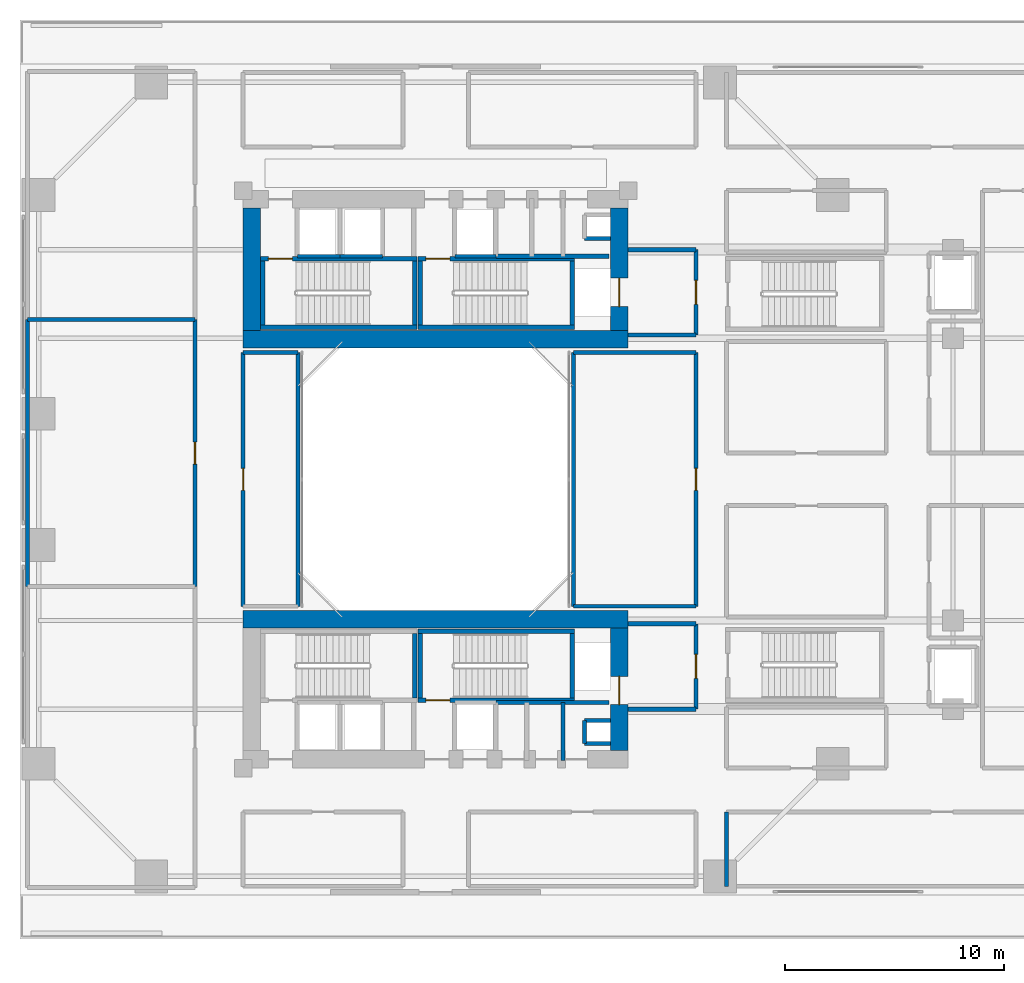
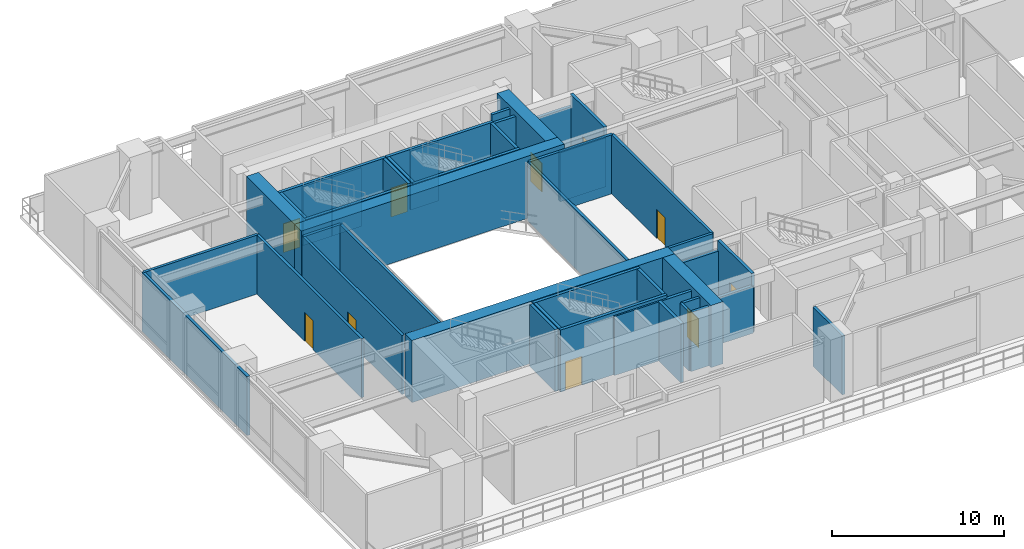
# One storey, part 11 of 19: 45 walls, 10 doors, 10 openings.
"""IFC4 building model written with IfcOpenShell, lengths in metres."""

from ifc_helpers import new_model, si_unit, direction, frame, frame_2d, origin, place, context, subcontext, project, spatial, rectangle, extrude, source, transform, mapped, material, layer, layer_set, type_object, element, fill, save


model = new_model("IFC4")

# Units and contexts
model_context = context("Model", 3, precision=1e-05, world=origin(), true_north=direction((0.0, 1.0)))
body_context = subcontext(model_context, "Body", "Model", "MODEL_VIEW")
ifc_project = project(units=[si_unit("LENGTHUNIT", "METRE"), si_unit("AREAUNIT", "SQUARE_METRE"), si_unit("VOLUMEUNIT", "CUBIC_METRE"), si_unit("PLANEANGLEUNIT", "RADIAN"), si_unit("MASSUNIT", "GRAM", prefix="KILO"), si_unit("THERMODYNAMICTEMPERATUREUNIT", "KELVIN"), si_unit("POWERUNIT", "WATT")], contexts=[model_context])

# Site, building, storey
site_placement = place(None, origin())
site = spatial("IfcSite", under=ifc_project, at=site_placement, CompositionType="ELEMENT")
building_placement = place(site_placement, origin())
building = spatial("IfcBuilding", under=site, at=building_placement, Name="Qiaomeng Ring Towers", CompositionType="ELEMENT")
storey_placement = place(building_placement, frame((0.0, 0.0, 9.39990234375)))
storey = spatial("IfcBuildingStorey", under=building, at=storey_placement, Name="L02", CompositionType="ELEMENT", Elevation=9.39990234375)

# Walls
ifc_material_1 = material(Name="Autoclaved aerated concrete block", Category="concrete")
ifc_layer_1 = layer(ifc_material_1, 0.199951171875, Name="Autoclaved aerated concrete block")
ifc_layer_set_1 = layer_set([ifc_layer_1], Name="Autoclaved aerated concrete block")
wall_type_1 = type_object("IfcWallType", Name="ARC-WL-PW1", PredefinedType="PARTITIONING", material=ifc_layer_set_1)
wall_1_placement = place(storey_placement, frame((27.800048828125, 29.60009765625, 0.0), z_axis=(0.0, 0.0, 1.0), x_axis=(1.0, 0.0, 0.0)))
element("IfcWall", 1, at=wall_1_placement, inside=storey, type_object=wall_type_1, Name="L02 Interior Wall PW1", PredefinedType="PARTITIONING", context=body_context, shape_type="SweptSolid", body=[
    extrude(rectangle(XDim=3.099853515625, YDim=0.199951171875, at=frame_2d((1.5498046875, 0.0))), origin(), (0.0, 0.0, 1.0), 3.47509765625),
])
wall_2_placement = place(storey_placement, frame((27.800048828125, 33.5, 0.0), z_axis=(0.0, 0.0, 1.0), x_axis=(1.0, 0.0, 0.0)))
element("IfcWall", 2, at=wall_2_placement, inside=storey, type_object=wall_type_1, Name="L02 Interior Wall PW1", PredefinedType="PARTITIONING", context=body_context, shape_type="SweptSolid", body=[
    extrude(rectangle(XDim=3.099853515625, YDim=0.199951171875, at=frame_2d((1.5498046875, 0.0))), origin(), (0.0, 0.0, 1.0), 3.3251953125),
])

# Wall, opening, door
wall_3_placement = place(storey_placement, frame((30.89990234375, 29.60009765625, 0.0), z_axis=(0.0, 0.0, 1.0), x_axis=(0.0, 1.0, 0.0)))
wall_3 = element("IfcWall", 3, at=wall_3_placement, inside=storey, type_object=wall_type_1, Name="L02 Interior Wall PW1", PredefinedType="PARTITIONING", context=body_context, shape_type="SweptSolid", body=[
    extrude(rectangle(XDim=3.89990234375, YDim=0.199951171875, at=frame_2d((1.949951171875, 0.0))), origin(), (0.0, 0.0, 1.0), 4.18017578125),
])
opening_1_placement = place(wall_3_placement, frame((1.39990234375, 0.0, 0.0)))
opening_1 = element("IfcOpeningElement", 4, at=opening_1_placement, cuts=wall_3, Name="Opening FD3", PredefinedType="OPENING", context=body_context, shape_type="SweptSolid", body=[
    extrude(rectangle(XDim=1.10009765625, YDim=2.050048828125, at=frame_2d((0.550048828125, 1.02490234375))), frame((0.0, 0.10986328125, 0.0), z_axis=(0.0, -1.0, 0.0), x_axis=(1.0, 0.0, 0.0)), (0.0, 0.0, 1.0), 0.219970703125),
])
ifc_material_2 = material(Name="Galvanised steel", Category="steel")
door_type_1 = type_object("IfcDoorType", Name="ARC-DR-FD3", OperationType="NOTDEFINED", PredefinedType="DOOR", material=ifc_material_2)
shared_shape_1 = source(origin(), body_context, "Body", "SweptSolid", [
    extrude(rectangle(XDim=1.10009765625, YDim=2.050048828125, at=frame_2d((0.550048828125, 1.02490234375))), frame((0.0, 0.02490234375, 0.0), z_axis=(0.0, -1.0, 0.0), x_axis=(1.0, 0.0, 0.0)), (0.0, 0.0, 1.0), 0.050048828125),
])
door_1_placement = place(opening_1_placement, origin())
door_1 = element("IfcDoor", 5, at=door_1_placement, inside=storey, type_object=door_type_1, Name="L02 North FF Lobby Door", OperationType="SINGLE_SWING_RIGHT", OverallHeight=2.050048828125, OverallWidth=1.10009765625, PredefinedType="DOOR", context=body_context, shape_type="MappedRepresentation", body=[
    mapped(shared_shape_1, transform((0.0, 0.0, 0.0), x_axis=(1.0, 0.0, 0.0), y_axis=(0.0, 1.0, 0.0), z_axis=(0.0, 0.0, 1.0), scale=1.0)),
])
fill(opening_1, door_1)

# Walls
wall_4_placement = place(storey_placement, frame((27.800048828125, 16.39990234375, 0.0), z_axis=(0.0, 0.0, 1.0), x_axis=(1.0, 0.0, 0.0)))
element("IfcWall", 6, at=wall_4_placement, inside=storey, type_object=wall_type_1, Name="L02 Interior Wall PW1", PredefinedType="PARTITIONING", context=body_context, shape_type="SweptSolid", body=[
    extrude(rectangle(XDim=3.099853515625, YDim=0.199951171875, at=frame_2d((1.5498046875, 0.0))), origin(), (0.0, 0.0, 1.0), 3.47509765625),
])
wall_5_placement = place(storey_placement, frame((27.800048828125, 12.5, 0.0), z_axis=(0.0, 0.0, 1.0), x_axis=(1.0, 0.0, 0.0)))
element("IfcWall", 7, at=wall_5_placement, inside=storey, type_object=wall_type_1, Name="L02 Interior Wall PW1", PredefinedType="PARTITIONING", context=body_context, shape_type="SweptSolid", body=[
    extrude(rectangle(XDim=3.099853515625, YDim=0.199951171875, at=frame_2d((1.5498046875, 0.0))), origin(), (0.0, 0.0, 1.0), 3.3251953125),
])

# Wall, opening, door
wall_6_placement = place(storey_placement, frame((30.89990234375, 12.5, 0.0), z_axis=(0.0, 0.0, 1.0), x_axis=(0.0, 1.0, 0.0)))
wall_6 = element("IfcWall", 8, at=wall_6_placement, inside=storey, type_object=wall_type_1, Name="L02 Interior Wall PW1", PredefinedType="PARTITIONING", context=body_context, shape_type="SweptSolid", body=[
    extrude(rectangle(XDim=3.89990234375, YDim=0.199951171875, at=frame_2d((1.949951171875, 0.0))), origin(), (0.0, 0.0, 1.0), 4.18017578125),
])
opening_2_placement = place(wall_6_placement, frame((1.39990234375, 0.0, 0.0)))
opening_2 = element("IfcOpeningElement", 9, at=opening_2_placement, cuts=wall_6, Name="Opening FD3", PredefinedType="OPENING", context=body_context, shape_type="SweptSolid", body=[
    extrude(rectangle(XDim=1.10009765625, YDim=2.050048828125, at=frame_2d((0.550048828125, 1.02490234375))), frame((0.0, 0.10986328125, 0.0), z_axis=(0.0, -1.0, 0.0), x_axis=(1.0, 0.0, 0.0)), (0.0, 0.0, 1.0), 0.219970703125),
])
door_2_placement = place(opening_2_placement, origin())
door_2 = element("IfcDoor", 10, at=door_2_placement, inside=storey, type_object=door_type_1, Name="L02 South FF Lobby Door", OperationType="SINGLE_SWING_LEFT", OverallHeight=2.050048828125, OverallWidth=1.10009765625, PredefinedType="DOOR", context=body_context, shape_type="MappedRepresentation", body=[
    mapped(shared_shape_1, transform((0.0, 0.0, 0.0), x_axis=(1.0, 0.0, 0.0), y_axis=(0.0, 1.0, 0.0), z_axis=(0.0, 0.0, 1.0), scale=1.0)),
])
fill(opening_2, door_2)

# Walls
wall_7_placement = place(storey_placement, frame((24.820068359375, 10.14990234375, 0.0), z_axis=(0.0, 0.0, 1.0), x_axis=(0.0, 1.0, 0.0)))
element("IfcWall", 11, at=wall_7_placement, inside=storey, type_object=wall_type_1, Name="L02 Interior Wall PW1", PredefinedType="PARTITIONING", context=body_context, shape_type="SweptSolid", body=[
    extrude(rectangle(XDim=2.650146484375, YDim=0.199951171875, at=frame_2d((1.3251953125, 0.0))), origin(), (0.0, 0.0, 1.0), 4.18017578125),
])
for number, where, z_axis, x_axis, name in (
    (12, (21.75, 33.199951171875, 0.0), (0.0, 0.0, 1.0), (1.0, 0.0, 0.0), "L02 Interior Wall PW1"),
    (13, (21.75, 12.800048828125, 0.0), (0.0, 0.0, 1.0), (1.0, 0.0, 0.0), "L02 Interior Wall PW1"),
):
    element("IfcWall", number, at=place(storey_placement, frame(where, z_axis=z_axis, x_axis=x_axis)), inside=storey, type_object=wall_type_1, Name=name, PredefinedType="PARTITIONING", context=body_context, shape_type="SweptSolid", body=[
        extrude(rectangle(XDim=5.169921875, YDim=0.199951171875, at=frame_2d((2.5849609375, 0.0))), origin(), (0.0, 0.0, 1.0), 4.18017578125),
    ])
ifc_layer_2 = layer(ifc_material_1, 0.179931640625, Name="Autoclaved aerated concrete block")
ifc_layer_set_2 = layer_set([ifc_layer_2], Name="Autoclaved aerated concrete block")
wall_type_2 = type_object("IfcWallType", Name="ARC-WL-PW2", PredefinedType="PARTITIONING", material=ifc_layer_set_2)
wall_8_placement = place(storey_placement, frame((0.35009765625, 30.300048828125, 0.0), z_axis=(0.0, 0.0, 1.0), x_axis=(1.0, 0.0, 0.0)))
element("IfcWall", 14, at=wall_8_placement, inside=storey, type_object=wall_type_2, Name="L02 Interior Wall PW2", PredefinedType="PARTITIONING", context=body_context, shape_type="SweptSolid", body=[
    extrude(rectangle(XDim=7.64990234375, YDim=0.179931640625, at=frame_2d((3.824951171875, 0.0))), origin(), (0.0, 0.0, 1.0), 4.18017578125),
])
wall_9_placement = place(storey_placement, frame((0.35009765625, 18.10009765625, 0.0), z_axis=(0.0, 0.0, 1.0), x_axis=(0.0, 1.0, 0.0)))
element("IfcWall", 15, at=wall_9_placement, inside=storey, type_object=wall_type_2, Name="L02 Interior Wall PW2", PredefinedType="PARTITIONING", context=body_context, shape_type="SweptSolid", body=[
    extrude(rectangle(XDim=12.199951171875, YDim=0.179931640625, at=frame_2d((6.10009765625, 0.0))), origin(), (0.0, 0.0, 1.0), 4.18017578125),
])

# Wall, opening, door
wall_10_placement = place(storey_placement, frame((8.0, 18.10009765625, 0.0), z_axis=(0.0, 0.0, 1.0), x_axis=(0.0, 1.0, 0.0)))
wall_10 = element("IfcWall", 16, at=wall_10_placement, inside=storey, type_object=wall_type_2, Name="L02 Interior Wall PW2", PredefinedType="PARTITIONING", context=body_context, shape_type="SweptSolid", body=[
    extrude(rectangle(XDim=12.199951171875, YDim=0.179931640625, at=frame_2d((6.10009765625, 0.0))), origin(), (0.0, 0.0, 1.0), 4.18017578125),
])
opening_3_placement = place(wall_10_placement, frame((5.60009765625, 0.0, 0.0)))
opening_3 = element("IfcOpeningElement", 17, at=opening_3_placement, cuts=wall_10, Name="Opening FD4", PredefinedType="OPENING", context=body_context, shape_type="SweptSolid", body=[
    extrude(rectangle(XDim=1.0, YDim=2.050048828125, at=frame_2d((0.5, 1.02490234375))), frame((0.0, 0.099853515625, 0.0), z_axis=(0.0, -1.0, 0.0), x_axis=(1.0, 0.0, 0.0)), (0.0, 0.0, 1.0), 0.199951171875),
])
ifc_material_3 = material(Name="Engineered fire-rated oak timber", Category="wood")
door_type_2 = type_object("IfcDoorType", Name="ARC-DR-FD4", OperationType="NOTDEFINED", PredefinedType="DOOR", material=ifc_material_3)
shared_shape_2 = source(origin(), body_context, "Body", "SweptSolid", [
    extrude(rectangle(XDim=1.0, YDim=2.050048828125, at=frame_2d((0.5, 1.02490234375))), frame((0.0, 0.02490234375, 0.0), z_axis=(0.0, -1.0, 0.0), x_axis=(1.0, 0.0, 0.0)), (0.0, 0.0, 1.0), 0.050048828125),
])
door_3_placement = place(opening_3_placement, origin())
door_3 = element("IfcDoor", 18, at=door_3_placement, inside=storey, type_object=door_type_2, Name="L02 L02 Specialist Consultation Office Door", OperationType="SINGLE_SWING_RIGHT", OverallHeight=2.050048828125, OverallWidth=1.0, PredefinedType="DOOR", context=body_context, shape_type="MappedRepresentation", body=[
    mapped(shared_shape_2, transform((0.0, 0.0, 0.0), x_axis=(1.0, 0.0, 0.0), y_axis=(0.0, 1.0, 0.0), z_axis=(0.0, 0.0, 1.0), scale=1.0)),
])
fill(opening_3, door_3)

# Wall
wall_11_placement = place(storey_placement, frame((10.199951171875, 28.800048828125, 0.0), z_axis=(0.0, 0.0, 1.0), x_axis=(1.0, 0.0, 0.0)))
element("IfcWall", 19, at=wall_11_placement, inside=storey, type_object=wall_type_2, Name="L02 Interior Wall PW2", PredefinedType="PARTITIONING", context=body_context, shape_type="SweptSolid", body=[
    extrude(rectangle(XDim=2.5, YDim=0.179931640625, at=frame_2d((1.25, 0.0))), origin(), (0.0, 0.0, 1.0), 4.18017578125),
])

# Wall, opening, door
wall_12_placement = place(storey_placement, frame((10.199951171875, 17.199951171875, 0.0), z_axis=(0.0, 0.0, 1.0), x_axis=(0.0, 1.0, 0.0)))
wall_12 = element("IfcWall", 20, at=wall_12_placement, inside=storey, type_object=wall_type_2, Name="L02 Interior Wall PW2", PredefinedType="PARTITIONING", context=body_context, shape_type="SweptSolid", body=[
    extrude(rectangle(XDim=11.60009765625, YDim=0.179931640625, at=frame_2d((5.800048828125, 0.0))), origin(), (0.0, 0.0, 1.0), 4.18017578125),
])
opening_4_placement = place(wall_12_placement, frame((5.300048828125, 0.0, 0.0)))
opening_4 = element("IfcOpeningElement", 21, at=opening_4_placement, cuts=wall_12, Name="Opening FD4", PredefinedType="OPENING", context=body_context, shape_type="SweptSolid", body=[
    extrude(rectangle(XDim=1.0, YDim=2.050048828125, at=frame_2d((0.5, 1.02490234375))), frame((0.0, 0.099853515625, 0.0), z_axis=(0.0, -1.0, 0.0), x_axis=(1.0, 0.0, 0.0)), (0.0, 0.0, 1.0), 0.199951171875),
])
door_4_placement = place(opening_4_placement, origin())
door_4 = element("IfcDoor", 22, at=door_4_placement, inside=storey, type_object=door_type_2, Name="L02 L02 Internal Medicine Suite Door", OperationType="SINGLE_SWING_RIGHT", OverallHeight=2.050048828125, OverallWidth=1.0, PredefinedType="DOOR", context=body_context, shape_type="MappedRepresentation", body=[
    mapped(shared_shape_2, transform((0.0, 0.0, 0.0), x_axis=(1.0, 0.0, 0.0), y_axis=(0.0, 1.0, 0.0), z_axis=(0.0, 0.0, 1.0), scale=1.0)),
])
fill(opening_4, door_4)

# Walls
wall_13_placement = place(storey_placement, frame((12.699951171875, 17.199951171875, 0.0), z_axis=(0.0, 0.0, 1.0), x_axis=(0.0, 1.0, 0.0)))
element("IfcWall", 23, at=wall_13_placement, inside=storey, type_object=wall_type_2, Name="L02 Interior Wall PW2", PredefinedType="PARTITIONING", context=body_context, shape_type="SweptSolid", body=[
    extrude(rectangle(XDim=11.60009765625, YDim=0.179931640625, at=frame_2d((5.800048828125, 0.0))), origin(), (0.0, 0.0, 1.0), 4.18017578125),
])
for number, where, z_axis, x_axis, name in (
    (24, (25.300048828125, 17.199951171875, 0.0), (0.0, 0.0, 1.0), (1.0, 0.0, 0.0), "L02 Interior Wall PW2"),
    (25, (25.300048828125, 28.800048828125, 0.0), (0.0, 0.0, 1.0), (1.0, 0.0, 0.0), "L02 Interior Wall PW2"),
):
    element("IfcWall", number, at=place(storey_placement, frame(where, z_axis=z_axis, x_axis=x_axis)), inside=storey, type_object=wall_type_2, Name=name, PredefinedType="PARTITIONING", context=body_context, shape_type="SweptSolid", body=[
        extrude(rectangle(XDim=5.599853515625, YDim=0.179931640625, at=frame_2d((2.7998046875, 0.0))), origin(), (0.0, 0.0, 1.0), 4.18017578125),
    ])
wall_14_placement = place(storey_placement, frame((25.300048828125, 17.199951171875, 0.0), z_axis=(0.0, 0.0, 1.0), x_axis=(0.0, 1.0, 0.0)))
element("IfcWall", 26, at=wall_14_placement, inside=storey, type_object=wall_type_2, Name="L02 Interior Wall PW2", PredefinedType="PARTITIONING", context=body_context, shape_type="SweptSolid", body=[
    extrude(rectangle(XDim=11.60009765625, YDim=0.179931640625, at=frame_2d((5.800048828125, 0.0))), origin(), (0.0, 0.0, 1.0), 4.18017578125),
])

# Wall, opening, door
wall_15_placement = place(storey_placement, frame((30.89990234375, 17.199951171875, 0.0), z_axis=(0.0, 0.0, 1.0), x_axis=(0.0, 1.0, 0.0)))
wall_15 = element("IfcWall", 27, at=wall_15_placement, inside=storey, type_object=wall_type_2, Name="L02 Interior Wall PW2", PredefinedType="PARTITIONING", context=body_context, shape_type="SweptSolid", body=[
    extrude(rectangle(XDim=11.60009765625, YDim=0.179931640625, at=frame_2d((5.800048828125, 0.0))), origin(), (0.0, 0.0, 1.0), 4.18017578125),
])
opening_5_placement = place(wall_15_placement, frame((5.300048828125, 0.0, 0.0)))
opening_5 = element("IfcOpeningElement", 28, at=opening_5_placement, cuts=wall_15, Name="Opening FD4", PredefinedType="OPENING", context=body_context, shape_type="SweptSolid", body=[
    extrude(rectangle(XDim=1.0, YDim=2.050048828125, at=frame_2d((0.5, 1.02490234375))), frame((0.0, 0.099853515625, 0.0), z_axis=(0.0, -1.0, 0.0), x_axis=(1.0, 0.0, 0.0)), (0.0, 0.0, 1.0), 0.199951171875),
])
door_5_placement = place(opening_5_placement, origin())
door_5 = element("IfcDoor", 29, at=door_5_placement, inside=storey, type_object=door_type_2, Name="L02 L02 Traditional Medicine Clinic Door", OperationType="SINGLE_SWING_LEFT", OverallHeight=2.050048828125, OverallWidth=1.0, PredefinedType="DOOR", context=body_context, shape_type="MappedRepresentation", body=[
    mapped(shared_shape_2, transform((0.0, 0.0, 0.0), x_axis=(1.0, 0.0, 0.0), y_axis=(0.0, 1.0, 0.0), z_axis=(0.0, 0.0, 1.0), scale=1.0)),
])
fill(opening_5, door_5)

# Walls
wall_16_placement = place(storey_placement, frame((32.300048828125, 4.39990234375, 0.0), z_axis=(0.0, 0.0, 1.0), x_axis=(0.0, 1.0, 0.0)))
element("IfcWall", 30, at=wall_16_placement, inside=storey, type_object=wall_type_2, Name="L02 Interior Wall PW2", PredefinedType="PARTITIONING", context=body_context, shape_type="SweptSolid", body=[
    extrude(rectangle(XDim=3.400146484375, YDim=0.179931640625, at=frame_2d((1.7001953125, 0.0))), origin(), (0.0, 0.0, 1.0), 4.18017578125),
])
ifc_material_4 = material(Name="Concrete C40", Category="concrete")
ifc_layer_3 = layer(ifc_material_4, 0.199951171875, Name="Concrete C40")
ifc_layer_set_3 = layer_set([ifc_layer_3], Name="Concrete C40")
wall_type_3 = type_object("IfcWallType", Name="STR-WL-STSHAFT", PredefinedType="SHEAR", material=ifc_layer_set_3)
wall_17_placement = place(storey_placement, frame((12.679931640625, 33.199951171875, 0.0), z_axis=(0.0, 0.0, 1.0), x_axis=(1.0, 0.0, 0.0)))
element("IfcWall", 31, at=wall_17_placement, inside=storey, type_object=wall_type_3, Name="L02 Lift LP5 Shaft Back Wall", PredefinedType="SHEAR", context=body_context, shape_type="SweptSolid", body=[
    extrude(rectangle(XDim=1.940185546875, YDim=0.179931640625, at=frame_2d((0.97021484375, 0.0))), origin(), (0.0, 0.0, 1.0), 4.18017578125),
])
wall_18_placement = place(storey_placement, frame((25.800048828125, 34.02001953125, 0.0), z_axis=(0.0, 0.0, 1.0), x_axis=(1.0, 0.0, 0.0)))
element("IfcWall", 32, at=wall_18_placement, inside=storey, type_object=wall_type_3, Name="L02 Riser RSR1 South Shaft Wall N", PredefinedType="SHEAR", context=body_context, shape_type="SweptSolid", body=[
    extrude(rectangle(XDim=1.199951171875, YDim=0.179931640625, at=frame_2d((0.60009765625, 0.0))), origin(), (0.0, 0.0, 1.0), 4.18017578125),
])
wall_19_placement = place(storey_placement, frame((25.800048828125, 10.919921875, 0.0), z_axis=(0.0, 0.0, 1.0), x_axis=(0.0, 1.0, 0.0)))
element("IfcWall", 33, at=wall_19_placement, inside=storey, type_object=wall_type_3, Name="L02 Riser RSR1 West Shaft Wall S", PredefinedType="SHEAR", context=body_context, shape_type="SweptSolid", body=[
    extrude(rectangle(XDim=1.06005859375, YDim=0.179931640625, at=frame_2d((0.530029296875, 0.0))), origin(), (0.0, 0.0, 1.0), 4.18017578125),
])
for number, where, z_axis, x_axis, name in (
    (34, (25.800048828125, 11.97998046875, 0.0), (0.0, 0.0, 1.0), (1.0, 0.0, 0.0), "L02 Riser RSR1 North Shaft Wall S"),
    (35, (25.800048828125, 10.919921875, 0.0), (0.0, 0.0, 1.0), (1.0, 0.0, 0.0), "L02 Riser RSR1 South Shaft Wall S"),
):
    element("IfcWall", number, at=place(storey_placement, frame(where, z_axis=z_axis, x_axis=x_axis)), inside=storey, type_object=wall_type_3, Name=name, PredefinedType="SHEAR", context=body_context, shape_type="SweptSolid", body=[
        extrude(rectangle(XDim=1.199951171875, YDim=0.179931640625, at=frame_2d((0.60009765625, 0.0))), origin(), (0.0, 0.0, 1.0), 4.18017578125),
    ])
wall_20_placement = place(storey_placement, frame((14.6201171875, 33.199951171875, 0.0), z_axis=(0.0, 0.0, 1.0), x_axis=(1.0, 0.0, 0.0)))
element("IfcWall", 36, at=wall_20_placement, inside=storey, type_object=wall_type_3, Name="L02 Lift LP3 Shaft Back Wall", PredefinedType="SHEAR", context=body_context, shape_type="SweptSolid", body=[
    extrude(rectangle(XDim=1.9599609375, YDim=0.179931640625, at=frame_2d((0.97998046875, 0.0))), origin(), (0.0, 0.0, 1.0), 4.18017578125),
])
wall_21_placement = place(storey_placement, frame((19.8798828125, 33.199951171875, 0.0), z_axis=(0.0, 0.0, 1.0), x_axis=(1.0, 0.0, 0.0)))
element("IfcWall", 37, at=wall_21_placement, inside=storey, type_object=wall_type_3, Name="L02 Lift LP1 Shaft Back Wall", PredefinedType="SHEAR", context=body_context, shape_type="SweptSolid", body=[
    extrude(rectangle(XDim=1.8701171875, YDim=0.179931640625, at=frame_2d((0.93505859375, 0.0))), origin(), (0.0, 0.0, 1.0), 4.18017578125),
])
wall_22_placement = place(storey_placement, frame((11.0, 29.949951171875, 0.0), z_axis=(0.0, 0.0, 1.0), x_axis=(1.0, 0.0, 0.0)))
element("IfcWall", 38, at=wall_22_placement, inside=storey, type_object=wall_type_3, Name="L02 Stair ST1 South Shaft Shear Wall", PredefinedType="SHEAR", context=body_context, shape_type="SweptSolid", body=[
    extrude(rectangle(XDim=7.14990234375, YDim=0.199951171875, at=frame_2d((3.574951171875, 0.0))), origin(), (0.0, 0.0, 1.0), 4.400146484375),
])

# Wall, opening, door
wall_23_placement = place(storey_placement, frame((11.0, 33.090087890625, 0.0), z_axis=(0.0, 0.0, 1.0), x_axis=(1.0, 0.0, 0.0)))
wall_23 = element("IfcWall", 39, at=wall_23_placement, inside=storey, type_object=wall_type_3, Name="L02 Stair ST1 North Shaft Shear Wall", PredefinedType="SHEAR", context=body_context, shape_type="SweptSolid", body=[
    extrude(rectangle(XDim=7.14990234375, YDim=0.199951171875, at=frame_2d((3.574951171875, 0.0))), origin(), (0.0, 0.0, 1.0), 4.400146484375),
])
opening_6_placement = place(wall_23_placement, frame((0.35009765625, 0.0, 0.0)))
opening_6 = element("IfcOpeningElement", 40, at=opening_6_placement, cuts=wall_23, Name="Opening FD3", PredefinedType="OPENING", context=body_context, shape_type="SweptSolid", body=[
    extrude(rectangle(XDim=1.10009765625, YDim=2.050048828125, at=frame_2d((0.550048828125, 1.02490234375))), frame((0.0, 0.10986328125, 0.0), z_axis=(0.0, -1.0, 0.0), x_axis=(1.0, 0.0, 0.0)), (0.0, 0.0, 1.0), 0.219970703125),
])
door_6_placement = place(opening_6_placement, origin())
door_6 = element("IfcDoor", 41, at=door_6_placement, inside=storey, type_object=door_type_1, Name="L02 Stair ST1 Exit Door", OperationType="SINGLE_SWING_LEFT", OverallHeight=2.050048828125, OverallWidth=1.10009765625, PredefinedType="DOOR", context=body_context, shape_type="MappedRepresentation", body=[
    mapped(shared_shape_1, transform((0.0, 0.0, 0.0), x_axis=(1.0, 0.0, 0.0), y_axis=(0.0, 1.0, 0.0), z_axis=(0.0, 0.0, 1.0), scale=1.0)),
])
fill(opening_6, door_6)

# Walls
for number, where, z_axis, x_axis, name in (
    (42, (11.10009765625, 30.050048828125, 0.0), (0.0, 0.0, 1.0), (0.0, 1.0, 0.0), "L02 Stair ST1 West Shaft Shear Wall"),
    (43, (18.050048828125, 30.050048828125, 0.0), (0.0, 0.0, 1.0), (0.0, 1.0, 0.0), "L02 Stair ST1 East Shaft Shear Wall"),
):
    element("IfcWall", number, at=place(storey_placement, frame(where, z_axis=z_axis, x_axis=x_axis)), inside=storey, type_object=wall_type_3, Name=name, PredefinedType="SHEAR", context=body_context, shape_type="SweptSolid", body=[
        extrude(rectangle(XDim=2.93994140625, YDim=0.199951171875, at=frame_2d((1.469970703125, 0.0))), origin(), (0.0, 0.0, 1.0), 4.400146484375),
    ])
wall_24_placement = place(storey_placement, frame((18.199951171875, 29.949951171875, 0.0), z_axis=(0.0, 0.0, 1.0), x_axis=(1.0, 0.0, 0.0)))
element("IfcWall", 44, at=wall_24_placement, inside=storey, type_object=wall_type_3, Name="L02 Stair ST2 South Shaft Shear Wall", PredefinedType="SHEAR", context=body_context, shape_type="SweptSolid", body=[
    extrude(rectangle(XDim=7.150146484375, YDim=0.199951171875, at=frame_2d((3.5751953125, 0.0))), origin(), (0.0, 0.0, 1.0), 4.400146484375),
])

# Wall, opening, door
wall_25_placement = place(storey_placement, frame((18.199951171875, 33.090087890625, 0.0), z_axis=(0.0, 0.0, 1.0), x_axis=(1.0, 0.0, 0.0)))
wall_25 = element("IfcWall", 45, at=wall_25_placement, inside=storey, type_object=wall_type_3, Name="L02 Stair ST2 North Shaft Shear Wall", PredefinedType="SHEAR", context=body_context, shape_type="SweptSolid", body=[
    extrude(rectangle(XDim=7.150146484375, YDim=0.199951171875, at=frame_2d((3.5751953125, 0.0))), origin(), (0.0, 0.0, 1.0), 4.400146484375),
])
opening_7_placement = place(wall_25_placement, frame((0.35009765625, 0.0, 0.0)))
opening_7 = element("IfcOpeningElement", 46, at=opening_7_placement, cuts=wall_25, Name="Opening FD3", PredefinedType="OPENING", context=body_context, shape_type="SweptSolid", body=[
    extrude(rectangle(XDim=1.10009765625, YDim=2.050048828125, at=frame_2d((0.550048828125, 1.02490234375))), frame((0.0, 0.10986328125, 0.0), z_axis=(0.0, -1.0, 0.0), x_axis=(1.0, 0.0, 0.0)), (0.0, 0.0, 1.0), 0.219970703125),
])
door_7_placement = place(opening_7_placement, origin())
door_7 = element("IfcDoor", 47, at=door_7_placement, inside=storey, type_object=door_type_1, Name="L02 Stair ST2 Exit Door", OperationType="SINGLE_SWING_LEFT", OverallHeight=2.050048828125, OverallWidth=1.10009765625, PredefinedType="DOOR", context=body_context, shape_type="MappedRepresentation", body=[
    mapped(shared_shape_1, transform((0.0, 0.0, 0.0), x_axis=(1.0, 0.0, 0.0), y_axis=(0.0, 1.0, 0.0), z_axis=(0.0, 0.0, 1.0), scale=1.0)),
])
fill(opening_7, door_7)

# Walls
for number, where, z_axis, x_axis, name in (
    (48, (18.300048828125, 30.050048828125, 0.0), (0.0, 0.0, 1.0), (0.0, 1.0, 0.0), "L02 Stair ST2 West Shaft Shear Wall"),
    (49, (25.25, 30.050048828125, 0.0), (0.0, 0.0, 1.0), (0.0, 1.0, 0.0), "L02 Stair ST2 East Shaft Shear Wall"),
    (50, (18.050048828125, 13.010009765625, 0.0), (0.0, 0.0, 1.0), (0.0, 1.0, 0.0), "L02 Stair ST3 East Shaft Shear Wall"),
):
    element("IfcWall", number, at=place(storey_placement, frame(where, z_axis=z_axis, x_axis=x_axis)), inside=storey, type_object=wall_type_3, Name=name, PredefinedType="SHEAR", context=body_context, shape_type="SweptSolid", body=[
        extrude(rectangle(XDim=2.93994140625, YDim=0.199951171875, at=frame_2d((1.469970703125, 0.0))), origin(), (0.0, 0.0, 1.0), 4.400146484375),
    ])

# Wall, opening, door
wall_26_placement = place(storey_placement, frame((18.199951171875, 12.909912109375, 0.0), z_axis=(0.0, 0.0, 1.0), x_axis=(1.0, 0.0, 0.0)))
wall_26 = element("IfcWall", 51, at=wall_26_placement, inside=storey, type_object=wall_type_3, Name="L02 Stair ST4 South Shaft Shear Wall", PredefinedType="SHEAR", context=body_context, shape_type="SweptSolid", body=[
    extrude(rectangle(XDim=7.150146484375, YDim=0.199951171875, at=frame_2d((3.5751953125, 0.0))), origin(), (0.0, 0.0, 1.0), 4.400146484375),
])
opening_8_placement = place(wall_26_placement, frame((0.35009765625, 0.0, 0.0)))
opening_8 = element("IfcOpeningElement", 52, at=opening_8_placement, cuts=wall_26, Name="Opening FD3", PredefinedType="OPENING", context=body_context, shape_type="SweptSolid", body=[
    extrude(rectangle(XDim=1.10009765625, YDim=2.050048828125, at=frame_2d((0.550048828125, 1.02490234375))), frame((0.0, 0.10986328125, 0.0), z_axis=(0.0, -1.0, 0.0), x_axis=(1.0, 0.0, 0.0)), (0.0, 0.0, 1.0), 0.219970703125),
])
door_8_placement = place(opening_8_placement, frame((1.10009765625, 0.0, 0.0), z_axis=(0.0, 0.0, 1.0), x_axis=(-1.0, 0.0, 0.0)))
door_8 = element("IfcDoor", 53, at=door_8_placement, inside=storey, type_object=door_type_1, Name="L02 Stair ST4 Exit Door", OperationType="SINGLE_SWING_LEFT", OverallHeight=2.050048828125, OverallWidth=1.10009765625, PredefinedType="DOOR", context=body_context, shape_type="MappedRepresentation", body=[
    mapped(shared_shape_1, transform((0.0, 0.0, 0.0), x_axis=(1.0, 0.0, 0.0), y_axis=(0.0, 1.0, 0.0), z_axis=(0.0, 0.0, 1.0), scale=1.0)),
])
fill(opening_8, door_8)

# Walls
wall_27_placement = place(storey_placement, frame((18.199951171875, 16.050048828125, 0.0), z_axis=(0.0, 0.0, 1.0), x_axis=(1.0, 0.0, 0.0)))
element("IfcWall", 54, at=wall_27_placement, inside=storey, type_object=wall_type_3, Name="L02 Stair ST4 North Shaft Shear Wall", PredefinedType="SHEAR", context=body_context, shape_type="SweptSolid", body=[
    extrude(rectangle(XDim=7.150146484375, YDim=0.199951171875, at=frame_2d((3.5751953125, 0.0))), origin(), (0.0, 0.0, 1.0), 4.400146484375),
])
for number, where, z_axis, x_axis, name in (
    (55, (18.300048828125, 13.010009765625, 0.0), (0.0, 0.0, 1.0), (0.0, 1.0, 0.0), "L02 Stair ST4 West Shaft Shear Wall"),
    (56, (25.25, 13.010009765625, 0.0), (0.0, 0.0, 1.0), (0.0, 1.0, 0.0), "L02 Stair ST4 East Shaft Shear Wall"),
):
    element("IfcWall", number, at=place(storey_placement, frame(where, z_axis=z_axis, x_axis=x_axis)), inside=storey, type_object=wall_type_3, Name=name, PredefinedType="SHEAR", context=body_context, shape_type="SweptSolid", body=[
        extrude(rectangle(XDim=2.93994140625, YDim=0.199951171875, at=frame_2d((1.469970703125, 0.0))), origin(), (0.0, 0.0, 1.0), 4.400146484375),
    ])
ifc_material_5 = material(Name="Concrete C60", Category="concrete")
ifc_layer_4 = layer(ifc_material_5, 0.800048828125, Name="Concrete C60")
ifc_layer_set_4 = layer_set([ifc_layer_4], Name="Concrete C60")
wall_type_4 = type_object("IfcWallType", Name="STR-WL-SW1", PredefinedType="SHEAR", material=ifc_layer_set_4)
wall_28_placement = place(storey_placement, frame((10.199951171875, 29.39990234375, 0.0), z_axis=(0.0, 0.0, 1.0), x_axis=(1.0, 0.0, 0.0)))
element("IfcWall", 57, at=wall_28_placement, inside=storey, type_object=wall_type_4, Name="L02 T1NC south core shear wall", PredefinedType="SHEAR", context=body_context, shape_type="SweptSolid", body=[
    extrude(rectangle(XDim=17.60009765625, YDim=0.800048828125, at=frame_2d((8.800048828125, 0.0))), origin(), (0.0, 0.0, 1.0), 4.400146484375),
])
wall_29_placement = place(storey_placement, frame((10.60009765625, 29.800048828125, 0.0), z_axis=(0.0, 0.0, 1.0), x_axis=(0.0, 1.0, 0.0)))
element("IfcWall", 58, at=wall_29_placement, inside=storey, type_object=wall_type_4, Name="L02 T1NC west core shear wall", PredefinedType="SHEAR", context=body_context, shape_type="SweptSolid", body=[
    extrude(rectangle(XDim=5.599853515625, YDim=0.800048828125, at=frame_2d((2.7998046875, 0.0))), origin(), (0.0, 0.0, 1.0), 4.400146484375),
])

# Wall, opening, door
wall_30_placement = place(storey_placement, frame((27.39990234375, 29.800048828125, 0.0), z_axis=(0.0, 0.0, 1.0), x_axis=(0.0, 1.0, 0.0)))
wall_30 = element("IfcWall", 59, at=wall_30_placement, inside=storey, type_object=wall_type_4, Name="L02 T1NC east core shear wall", PredefinedType="SHEAR", context=body_context, shape_type="SweptSolid", body=[
    extrude(rectangle(XDim=5.599853515625, YDim=0.800048828125, at=frame_2d((2.7998046875, 0.0))), origin(), (0.0, 0.0, 1.0), 4.400146484375),
])
opening_9_placement = place(wall_30_placement, frame((1.10009765625, 0.0, 0.0)))
opening_9 = element("IfcOpeningElement", 60, at=opening_9_placement, cuts=wall_30, Name="Opening LD2", PredefinedType="OPENING", context=body_context, shape_type="SweptSolid", body=[
    extrude(rectangle(XDim=1.300048828125, YDim=2.050048828125, at=frame_2d((0.64990234375, 1.02490234375))), frame((0.0, 0.409912109375, 0.0), z_axis=(0.0, -1.0, 0.0), x_axis=(1.0, 0.0, 0.0)), (0.0, 0.0, 1.0), 0.820068359375),
])
ifc_material_6 = material(Name="Stainless steel 316", Category="steel")
door_type_3 = type_object("IfcDoorType", Name="ARC-DR-LD2", OperationType="NOTDEFINED", PredefinedType="DOOR", material=ifc_material_6)
shared_shape_3 = source(origin(), body_context, "Body", "SweptSolid", [
    extrude(rectangle(XDim=1.300048828125, YDim=2.050048828125, at=frame_2d((0.64990234375, 1.02490234375))), frame((0.0, 0.02490234375, 0.0), z_axis=(0.0, -1.0, 0.0), x_axis=(1.0, 0.0, 0.0)), (0.0, 0.0, 1.0), 0.050048828125),
])
door_9_placement = place(opening_9_placement, origin())
door_9 = element("IfcDoor", 61, at=door_9_placement, inside=storey, type_object=door_type_3, Name="L02 Firefighting Lift FL1 Landing Door", OperationType="SLIDING_TO_LEFT", OverallHeight=2.050048828125, OverallWidth=1.300048828125, PredefinedType="DOOR", context=body_context, shape_type="MappedRepresentation", body=[
    mapped(shared_shape_3, transform((0.0, 0.0, 0.0), x_axis=(1.0, 0.0, 0.0), y_axis=(0.0, 1.0, 0.0), z_axis=(0.0, 0.0, 1.0), scale=1.0)),
])
fill(opening_9, door_9)

# Wall
wall_31_placement = place(storey_placement, frame((10.199951171875, 16.60009765625, 0.0), z_axis=(0.0, 0.0, 1.0), x_axis=(1.0, 0.0, 0.0)))
element("IfcWall", 62, at=wall_31_placement, inside=storey, type_object=wall_type_4, Name="L02 T1SC north core shear wall", PredefinedType="SHEAR", context=body_context, shape_type="SweptSolid", body=[
    extrude(rectangle(XDim=17.60009765625, YDim=0.800048828125, at=frame_2d((8.800048828125, 0.0))), origin(), (0.0, 0.0, 1.0), 4.400146484375),
])

# Wall, opening, door
wall_32_placement = place(storey_placement, frame((27.39990234375, 10.60009765625, 0.0), z_axis=(0.0, 0.0, 1.0), x_axis=(0.0, 1.0, 0.0)))
wall_32 = element("IfcWall", 63, at=wall_32_placement, inside=storey, type_object=wall_type_4, Name="L02 T1SC east core shear wall", PredefinedType="SHEAR", context=body_context, shape_type="SweptSolid", body=[
    extrude(rectangle(XDim=5.599853515625, YDim=0.800048828125, at=frame_2d((2.7998046875, 0.0))), origin(), (0.0, 0.0, 1.0), 4.400146484375),
])
opening_10_placement = place(wall_32_placement, frame((2.10009765625, 0.0, 0.0)))
opening_10 = element("IfcOpeningElement", 64, at=opening_10_placement, cuts=wall_32, Name="Opening LD2", PredefinedType="OPENING", context=body_context, shape_type="SweptSolid", body=[
    extrude(rectangle(XDim=1.300048828125, YDim=2.050048828125, at=frame_2d((0.64990234375, 1.02490234375))), frame((0.0, 0.409912109375, 0.0), z_axis=(0.0, -1.0, 0.0), x_axis=(1.0, 0.0, 0.0)), (0.0, 0.0, 1.0), 0.820068359375),
])
door_10_placement = place(opening_10_placement, origin())
door_10 = element("IfcDoor", 65, at=door_10_placement, inside=storey, type_object=door_type_3, Name="L02 Firefighting Lift FL2 Landing Door", OperationType="SLIDING_TO_RIGHT", OverallHeight=2.050048828125, OverallWidth=1.300048828125, PredefinedType="DOOR", context=body_context, shape_type="MappedRepresentation", body=[
    mapped(shared_shape_3, transform((0.0, 0.0, 0.0), x_axis=(1.0, 0.0, 0.0), y_axis=(0.0, 1.0, 0.0), z_axis=(0.0, 0.0, 1.0), scale=1.0)),
])
fill(opening_10, door_10)

save(model, "model.ifc")
